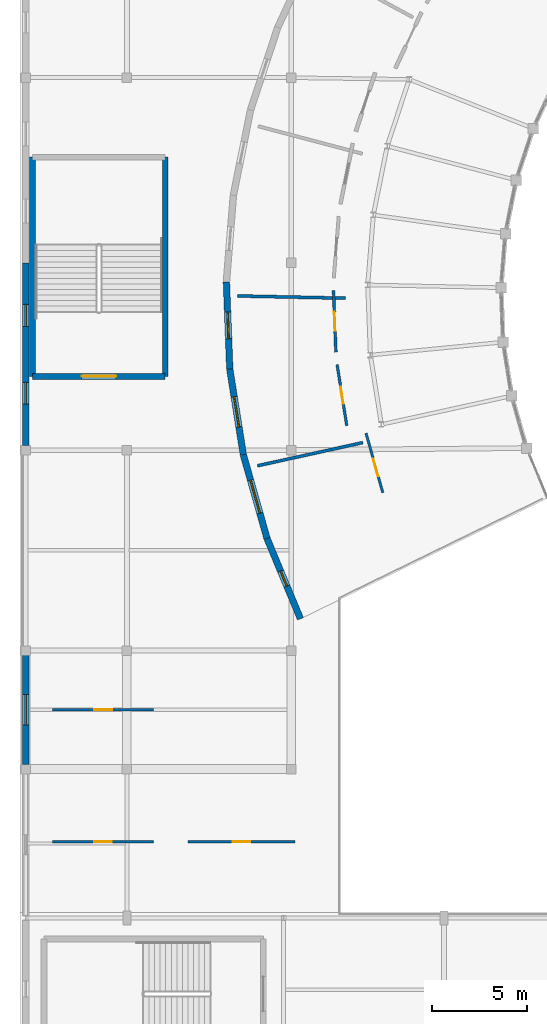
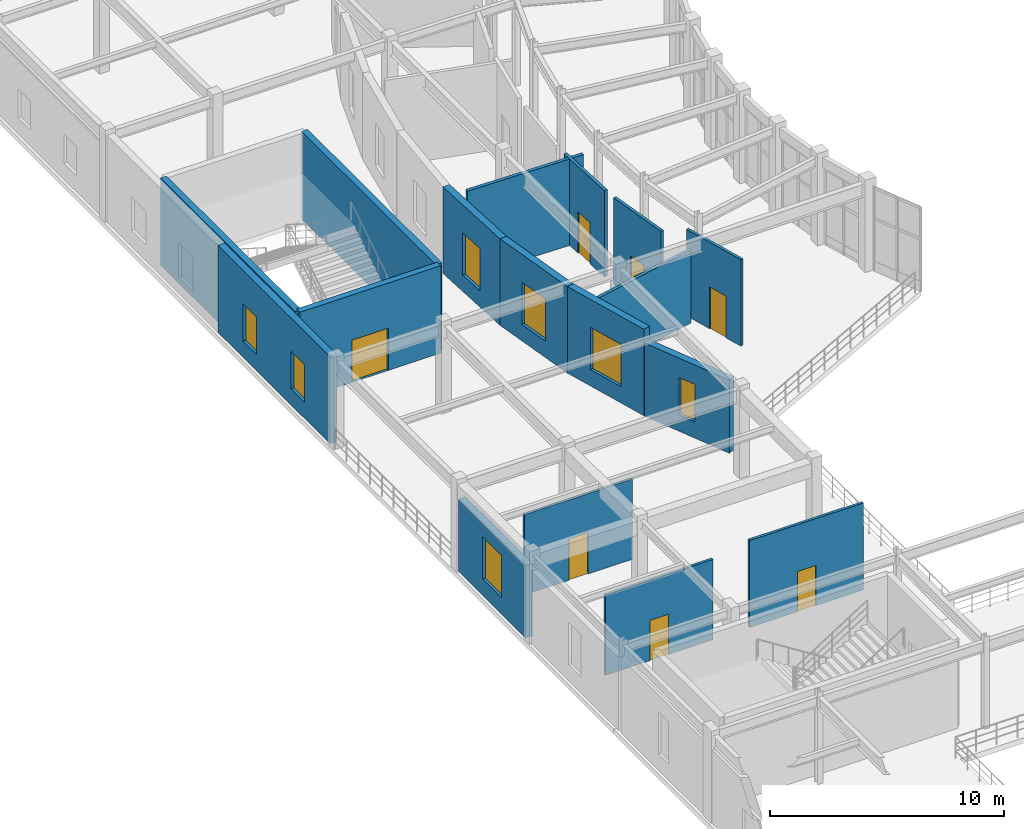
# One storey, part 104 of 144: 17 walls, 7 doors, 7 windows, 14 openings.
"""IFC4 building model written with IfcOpenShell, lengths in metres."""

from ifc_helpers import new_model, si_unit, direction, frame, frame_2d, origin, place, context, subcontext, project, spatial, rectangle, extrude, material, layer, layer_set, type_object, element, fill, save


model = new_model("IFC4")

# Units and contexts
model_context = context("Model", 3, precision=1e-05, world=origin(), true_north=direction((0.0, 1.0)))
body_context = subcontext(model_context, "Body", "Model", "MODEL_VIEW")
ifc_project = project(units=[si_unit("LENGTHUNIT", "METRE"), si_unit("AREAUNIT", "SQUARE_METRE"), si_unit("VOLUMEUNIT", "CUBIC_METRE"), si_unit("PLANEANGLEUNIT", "RADIAN"), si_unit("MASSUNIT", "GRAM", prefix="KILO")], contexts=[model_context])

# Site, building, storey
site_placement = place(None, origin())
site = spatial("IfcSite", under=ifc_project, at=site_placement, CompositionType="ELEMENT")
building_placement = place(site_placement, origin())
building = spatial("IfcBuilding", under=site, at=building_placement, Name="Cinderbank Siding Concert Hall", CompositionType="ELEMENT")
storey_placement = place(building_placement, frame((0.0, 0.0, 5.39990234375)))
storey = spatial("IfcBuildingStorey", under=building, at=storey_placement, Name="L02", CompositionType="ELEMENT", Elevation=5.39990234375)

# Wall, opening, door
ifc_material_1 = material(Name="Reinforced concrete AS 3600 N50 (50 MPa)", Category="concrete")
ifc_layer_1 = layer(ifc_material_1, 0.300048828125)
ifc_layer_set_1 = layer_set([ifc_layer_1], Name="Reinforced concrete AS 3600 N50 (50 MPa)")
wall_type_1 = type_object("IfcWallType", Name="WL-03 Structural Wall 300mm", PredefinedType="SHEAR", material=ifc_layer_set_1)
wall_1_placement = place(storey_placement, frame((14.39990234375, 63.860107421875, 0.0), z_axis=(0.0, 0.0, 1.0), x_axis=(-1.0, 0.0, 0.0)))
wall_1 = element("IfcWall", 1, at=wall_1_placement, inside=storey, type_object=wall_type_1, Name="L02 ST-09 Core Wall ENTRY", PredefinedType="SHEAR", context=body_context, shape_type="SweptSolid", body=[
    extrude(rectangle(XDim=6.93994140625, YDim=0.300048828125, at=frame_2d((3.469970703125, 0.0))), origin(), (0.0, 0.0, 1.0), 4.550048828125),
])
opening_1_placement = place(wall_1_placement, frame((2.570068359375, 0.0, 0.0)))
opening_1 = element("IfcOpeningElement", 2, at=opening_1_placement, cuts=wall_1, Name="Opening D-05", PredefinedType="OPENING", context=body_context, shape_type="SweptSolid", body=[
    extrude(rectangle(XDim=1.800048828125, YDim=2.199951171875, at=frame_2d((0.89990234375, 1.10009765625))), frame((0.0, 0.162109375, 0.0), z_axis=(0.0, -1.0, 0.0), x_axis=(1.0, 0.0, 0.0)), (0.0, 0.0, 1.0), 0.323974609375),
])
ifc_material_2 = material(Name="Galvanised sheet steel acoustic fire door assembly", Category="steel")
door_type_1 = type_object("IfcDoorType", Name="D-05 Interior Door 1800x2200", OperationType="DOUBLE_DOOR_SINGLE_SWING", PredefinedType="DOOR", material=ifc_material_2)
door_1_placement = place(opening_1_placement, origin())
door_1 = element("IfcDoor", 3, at=door_1_placement, inside=storey, type_object=door_type_1, Name="L02 ST-09 Fire Stair Door L02-D048", OperationType="DOUBLE_DOOR_SINGLE_SWING", OverallHeight=2.199951171875, OverallWidth=1.800048828125, PredefinedType="DOOR", context=body_context, shape_type="SweptSolid", body=[
    extrude(rectangle(XDim=1.800048828125, YDim=2.199951171875, at=frame_2d((0.89990234375, 1.10009765625))), frame((0.0, 0.02490234375, 0.0), z_axis=(0.0, -1.0, 0.0), x_axis=(1.0, 0.0, 0.0)), (0.0, 0.0, 1.0), 0.050048828125),
])
fill(opening_1, door_1)

# Walls
for number, where, z_axis, x_axis, name in (
    (4, (14.39990234375, 75.340087890625, 0.0), (0.0, 0.0, 1.0), (0.0, -1.0, 0.0), "L02 ST-09 Core Wall SIDE1"),
    (5, (7.4599609375, 63.860107421875, 0.0), (0.0, 0.0, 1.0), (0.0, 1.0, 0.0), "L02 ST-09 Core Wall SIDE2"),
):
    element("IfcWall", number, at=place(storey_placement, frame(where, z_axis=z_axis, x_axis=x_axis)), inside=storey, type_object=wall_type_1, Name=name, PredefinedType="SHEAR", context=body_context, shape_type="SweptSolid", body=[
        extrude(rectangle(XDim=11.47998046875, YDim=0.300048828125, at=frame_2d((5.739990234375, 0.0))), origin(), (0.0, 0.0, 1.0), 4.550048828125),
    ])

# Wall, opening, window
ifc_material_3 = material(Name="Clinker clay brickwork masonry AS 3700 (20 MPa)", Category="masonry")
ifc_layer_2 = layer(ifc_material_3, 0.340087890625)
ifc_layer_set_2 = layer_set([ifc_layer_2], Name="Clinker clay brickwork masonry AS 3700 (20 MPa)")
wall_type_2 = type_object("IfcWallType", Name="WL-07 Exterior Wall 340mm", PredefinedType="STANDARD", material=ifc_layer_set_2)
wall_2_placement = place(storey_placement, frame((17.6083984375, 68.80419921875, 0.0), z_axis=(0.0, 0.0, 1.0), x_axis=(0.038377542804, -0.999263310749, 0.0)))
wall_2 = element("IfcWall", 6, at=wall_2_placement, inside=storey, type_object=wall_type_2, Name="L02 Facade Wall EW-WOUT-L02-12", PredefinedType="STANDARD", context=body_context, shape_type="SweptSolid", body=[
    extrude(rectangle(XDim=4.554931640625, YDim=0.340087890625, at=frame_2d((2.27734375, 0.0))), origin(), (0.0, 0.0, 1.0), 4.505126953125),
])
opening_2_placement = place(wall_2_placement, frame((1.577392578125, 0.0, 0.85009765625)))
opening_2 = element("IfcOpeningElement", 7, at=opening_2_placement, cuts=wall_2, Name="Opening WN-06", PredefinedType="OPENING", context=body_context, shape_type="SweptSolid", body=[
    extrude(rectangle(XDim=1.39990234375, YDim=2.199951171875, at=frame_2d((0.699951171875, 1.10009765625))), frame((0.0, 0.18212890625, 0.0), z_axis=(0.0, -1.0, 0.0), x_axis=(1.0, 0.0, 0.0)), (0.0, 0.0, 1.0), 0.364013671875),
])
ifc_material_4 = material(Name="Double-glazed laminated acoustic glass", Category="glass")
window_type_1 = type_object("IfcWindowType", Name="WN-06 Acoustic Casement Window 1400x2200", PartitioningType="DOUBLE_PANEL_VERTICAL", PredefinedType="WINDOW", material=ifc_material_4)
window_1_placement = place(opening_2_placement, origin())
window_1 = element("IfcWindow", 8, at=window_1_placement, inside=storey, type_object=window_type_1, Name="L02 Facade Window #22", OverallHeight=2.199951171875, OverallWidth=1.39990234375, PartitioningType="DOUBLE_PANEL_VERTICAL", PredefinedType="WINDOW", context=body_context, shape_type="SweptSolid", body=[
    extrude(rectangle(XDim=1.39990234375, YDim=2.199951171875, at=frame_2d((0.699951171875, 1.10009765625))), frame((0.0, 0.030029296875, 0.0), z_axis=(0.0, -1.0, 0.0), x_axis=(1.0, 0.0, 0.0)), (0.0, 0.0, 1.0), 0.06005859375),
])
fill(opening_2, window_1)

wall_3_placement = place(storey_placement, frame((17.783203125, 64.252685546875, 0.0), z_axis=(0.0, 0.0, 1.0), x_axis=(0.156466273676, -0.987683302077, 0.0)))
wall_3 = element("IfcWall", 9, at=wall_3_placement, inside=storey, type_object=wall_type_2, Name="L02 Facade Wall EW-WOUT-L02-13", PredefinedType="STANDARD", context=body_context, shape_type="SweptSolid", body=[
    extrude(rectangle(XDim=4.5546875, YDim=0.340087890625, at=frame_2d((2.27734375, 0.0))), origin(), (0.0, 0.0, 1.0), 4.505126953125),
])
opening_3_placement = place(wall_3_placement, frame((1.477294921875, 0.0, 0.85009765625)))
opening_3 = element("IfcOpeningElement", 10, at=opening_3_placement, cuts=wall_3, Name="Opening WN-07", PredefinedType="OPENING", context=body_context, shape_type="SweptSolid", body=[
    extrude(rectangle(XDim=1.60009765625, YDim=2.199951171875, at=frame_2d((0.800048828125, 1.10009765625))), frame((0.0, 0.18212890625, 0.0), z_axis=(0.0, -1.0, 0.0), x_axis=(1.0, 0.0, 0.0)), (0.0, 0.0, 1.0), 0.364013671875),
])
window_type_2 = type_object("IfcWindowType", Name="WN-07 Acoustic Casement Window 1600x2200", PartitioningType="DOUBLE_PANEL_VERTICAL", PredefinedType="WINDOW", material=ifc_material_4)
window_2_placement = place(opening_3_placement, origin())
window_2 = element("IfcWindow", 11, at=window_2_placement, inside=storey, type_object=window_type_2, Name="L02 Facade Window #23", OverallHeight=2.199951171875, OverallWidth=1.60009765625, PartitioningType="DOUBLE_PANEL_VERTICAL", PredefinedType="WINDOW", context=body_context, shape_type="SweptSolid", body=[
    extrude(rectangle(XDim=1.60009765625, YDim=2.199951171875, at=frame_2d((0.800048828125, 1.10009765625))), frame((0.0, 0.030029296875, 0.0), z_axis=(0.0, -1.0, 0.0), x_axis=(1.0, 0.0, 0.0)), (0.0, 0.0, 1.0), 0.06005859375),
])
fill(opening_3, window_2)

wall_4_placement = place(storey_placement, frame((18.495849609375, 59.754150390625, 0.0), z_axis=(0.0, 0.0, 1.0), x_axis=(0.272249427892, -0.962226713936, 0.0)))
wall_4 = element("IfcWall", 12, at=wall_4_placement, inside=storey, type_object=wall_type_2, Name="L02 Facade Wall EW-WOUT-L02-14", PredefinedType="STANDARD", context=body_context, shape_type="SweptSolid", body=[
    extrude(rectangle(XDim=4.5546875, YDim=0.340087890625, at=frame_2d((2.27734375, 0.0))), origin(), (0.0, 0.0, 1.0), 4.505126953125),
])
opening_4_placement = place(wall_4_placement, frame((1.37744140625, 0.0, 0.85009765625)))
opening_4 = element("IfcOpeningElement", 13, at=opening_4_placement, cuts=wall_4, Name="Opening WN-08", PredefinedType="OPENING", context=body_context, shape_type="SweptSolid", body=[
    extrude(rectangle(XDim=1.800048828125, YDim=2.199951171875, at=frame_2d((0.89990234375, 1.10009765625))), frame((0.0, 0.18212890625, 0.0), z_axis=(0.0, -1.0, 0.0), x_axis=(1.0, 0.0, 0.0)), (0.0, 0.0, 1.0), 0.364013671875),
])
window_type_3 = type_object("IfcWindowType", Name="WN-08 Acoustic Casement Window 1800x2200", PartitioningType="DOUBLE_PANEL_VERTICAL", PredefinedType="WINDOW", material=ifc_material_4)
window_3_placement = place(opening_4_placement, origin())
window_3 = element("IfcWindow", 14, at=window_3_placement, inside=storey, type_object=window_type_3, Name="L02 Facade Window #24", OverallHeight=2.199951171875, OverallWidth=1.800048828125, PartitioningType="DOUBLE_PANEL_VERTICAL", PredefinedType="WINDOW", context=body_context, shape_type="SweptSolid", body=[
    extrude(rectangle(XDim=1.800048828125, YDim=2.199951171875, at=frame_2d((0.89990234375, 1.10009765625))), frame((0.0, 0.030029296875, 0.0), z_axis=(0.0, -1.0, 0.0), x_axis=(1.0, 0.0, 0.0)), (0.0, 0.0, 1.0), 0.06005859375),
])
fill(opening_4, window_3)

wall_5_placement = place(storey_placement, frame((19.73583984375, 55.37158203125, 0.0), z_axis=(0.0, 0.0, 1.0), x_axis=(0.384310891198, -0.923203736402, 0.0)))
wall_5 = element("IfcWall", 15, at=wall_5_placement, inside=storey, type_object=wall_type_2, Name="L02 Facade Wall EW-WOUT-L02-15", PredefinedType="STANDARD", context=body_context, shape_type="SweptSolid", body=[
    extrude(rectangle(XDim=4.554931640625, YDim=0.340087890625, at=frame_2d((2.27734375, 0.0))), origin(), (0.0, 0.0, 1.0), 3.80712890625),
])
opening_5_placement = place(wall_5_placement, frame((1.852294921875, 0.0, 0.85009765625)))
opening_5 = element("IfcOpeningElement", 16, at=opening_5_placement, cuts=wall_5, Name="Opening WN-09", PredefinedType="OPENING", context=body_context, shape_type="SweptSolid", body=[
    extrude(rectangle(XDim=0.85009765625, YDim=1.949951171875, at=frame_2d((0.425048828125, 0.97509765625))), frame((0.0, 0.18212890625, 0.0), z_axis=(0.0, -1.0, 0.0), x_axis=(1.0, 0.0, 0.0)), (0.0, 0.0, 1.0), 0.364013671875),
])
window_type_4 = type_object("IfcWindowType", Name="WN-09 Acoustic Casement Window 850x1950", PartitioningType="DOUBLE_PANEL_VERTICAL", PredefinedType="WINDOW", material=ifc_material_4)
window_4_placement = place(opening_5_placement, origin())
window_4 = element("IfcWindow", 17, at=window_4_placement, inside=storey, type_object=window_type_4, Name="L02 Facade Window #25", OverallHeight=1.949951171875, OverallWidth=0.85009765625, PartitioningType="DOUBLE_PANEL_VERTICAL", PredefinedType="WINDOW", context=body_context, shape_type="SweptSolid", body=[
    extrude(rectangle(XDim=0.85009765625, YDim=1.949951171875, at=frame_2d((0.425048828125, 0.97509765625))), frame((0.0, 0.030029296875, 0.0), z_axis=(0.0, -1.0, 0.0), x_axis=(1.0, 0.0, 0.0)), (0.0, 0.0, 1.0), 0.06005859375),
])
fill(opening_5, window_4)

wall_6_placement = place(storey_placement, frame((7.10009765625, 43.534912109375, 0.0), z_axis=(0.0, 0.0, 1.0), x_axis=(0.0, 1.0, 0.0)))
wall_6 = element("IfcWall", 18, at=wall_6_placement, inside=storey, type_object=wall_type_2, Name="L02 Facade Wall EW-WL-W1-L02", PredefinedType="STANDARD", context=body_context, shape_type="SweptSolid", body=[
    extrude(rectangle(XDim=5.72998046875, YDim=0.340087890625, at=frame_2d((2.864990234375, 0.0))), origin(), (0.0, 0.0, 1.0), 3.787109375),
])
opening_6_placement = place(wall_6_placement, frame((2.06494140625, 0.0, 0.85009765625)))
opening_6 = element("IfcOpeningElement", 19, at=opening_6_placement, cuts=wall_6, Name="Opening WN-07", PredefinedType="OPENING", context=body_context, shape_type="SweptSolid", body=[
    extrude(rectangle(XDim=1.60009765625, YDim=2.199951171875, at=frame_2d((0.800048828125, 1.10009765625))), frame((0.0, 0.18212890625, 0.0), z_axis=(0.0, -1.0, 0.0), x_axis=(1.0, 0.0, 0.0)), (0.0, 0.0, 1.0), 0.364013671875),
])
window_5_placement = place(opening_6_placement, origin())
window_5 = element("IfcWindow", 20, at=window_5_placement, inside=storey, type_object=window_type_2, Name="L02 Facade Window #85", OverallHeight=2.199951171875, OverallWidth=1.60009765625, PartitioningType="DOUBLE_PANEL_VERTICAL", PredefinedType="WINDOW", context=body_context, shape_type="SweptSolid", body=[
    extrude(rectangle(XDim=1.60009765625, YDim=2.199951171875, at=frame_2d((0.800048828125, 1.10009765625))), frame((0.0, 0.030029296875, 0.0), z_axis=(0.0, -1.0, 0.0), x_axis=(1.0, 0.0, 0.0)), (0.0, 0.0, 1.0), 0.06005859375),
])
fill(opening_6, window_5)

# Wall, openings, windows
wall_7_placement = place(storey_placement, frame((7.10009765625, 60.235107421875, 0.0), z_axis=(0.0, 0.0, 1.0), x_axis=(0.0, 1.0, 0.0)))
wall_7 = element("IfcWall", 21, at=wall_7_placement, inside=storey, type_object=wall_type_2, Name="L02 Facade Wall EW-WL-W2-L02", PredefinedType="STANDARD", context=body_context, shape_type="SweptSolid", body=[
    extrude(rectangle(XDim=9.56494140625, YDim=0.340087890625, at=frame_2d((4.782470703125, 0.0))), origin(), (0.0, 0.0, 1.0), 4.53515625),
])
opening_7_placement = place(wall_7_placement, frame((2.166259765625, 0.0, 0.85009765625)))
opening_7 = element("IfcOpeningElement", 22, at=opening_7_placement, cuts=wall_7, Name="Opening WN-12", PredefinedType="OPENING", context=body_context, shape_type="SweptSolid", body=[
    extrude(rectangle(XDim=1.14990234375, YDim=1.949951171875, at=frame_2d((0.574951171875, 0.97509765625))), frame((0.0, 0.18212890625, 0.0), z_axis=(0.0, -1.0, 0.0), x_axis=(1.0, 0.0, 0.0)), (0.0, 0.0, 1.0), 0.364013671875),
])
opening_8_placement = place(wall_7_placement, frame((6.248779296875, 0.0, 0.85009765625)))
opening_8 = element("IfcOpeningElement", 23, at=opening_8_placement, cuts=wall_7, Name="Opening WN-12", PredefinedType="OPENING", context=body_context, shape_type="SweptSolid", body=[
    extrude(rectangle(XDim=1.14990234375, YDim=1.949951171875, at=frame_2d((0.574951171875, 0.97509765625))), frame((0.0, 0.18212890625, 0.0), z_axis=(0.0, -1.0, 0.0), x_axis=(1.0, 0.0, 0.0)), (0.0, 0.0, 1.0), 0.364013671875),
])
window_type_5 = type_object("IfcWindowType", Name="WN-12 Acoustic Casement Window 1150x1950", PartitioningType="DOUBLE_PANEL_VERTICAL", PredefinedType="WINDOW", material=ifc_material_4)
window_6_placement = place(opening_7_placement, origin())
window_6 = element("IfcWindow", 24, at=window_6_placement, inside=storey, type_object=window_type_5, Name="L02 Facade Window #90", OverallHeight=1.949951171875, OverallWidth=1.14990234375, PartitioningType="DOUBLE_PANEL_VERTICAL", PredefinedType="WINDOW", context=body_context, shape_type="SweptSolid", body=[
    extrude(rectangle(XDim=1.14990234375, YDim=1.949951171875, at=frame_2d((0.574951171875, 0.97509765625))), frame((0.0, 0.030029296875, 0.0), z_axis=(0.0, -1.0, 0.0), x_axis=(1.0, 0.0, 0.0)), (0.0, 0.0, 1.0), 0.06005859375),
])
fill(opening_7, window_6)
window_7_placement = place(opening_8_placement, origin())
window_7 = element("IfcWindow", 25, at=window_7_placement, inside=storey, type_object=window_type_5, Name="L02 Facade Window #91", OverallHeight=1.949951171875, OverallWidth=1.14990234375, PartitioningType="DOUBLE_PANEL_VERTICAL", PredefinedType="WINDOW", context=body_context, shape_type="SweptSolid", body=[
    extrude(rectangle(XDim=1.14990234375, YDim=1.949951171875, at=frame_2d((0.574951171875, 0.97509765625))), frame((0.0, 0.030029296875, 0.0), z_axis=(0.0, -1.0, 0.0), x_axis=(1.0, 0.0, 0.0)), (0.0, 0.0, 1.0), 0.06005859375),
])
fill(opening_8, window_7)

# Walls
ifc_material_5 = material(Name="Acoustic plasterboard on light-gauge steel studs", Category="gypsum")
ifc_layer_3 = layer(ifc_material_5, 0.159912109375)
ifc_layer_set_3 = layer_set([ifc_layer_3], Name="Acoustic plasterboard on light-gauge steel studs")
wall_type_3 = type_object("IfcWallType", Name="WL-14 Interior Wall 160mm", PredefinedType="PARTITIONING", material=ifc_layer_set_3)
wall_8_placement = place(storey_placement, frame((23.842041015625, 67.953369140625, 0.0), z_axis=(0.0, 0.0, 1.0), x_axis=(-0.999780386636, 0.020956586028, 0.0)))
element("IfcWall", 26, at=wall_8_placement, inside=storey, type_object=wall_type_3, Name="L02 Radial Studio Demising Wall W12", PredefinedType="PARTITIONING", context=body_context, shape_type="SweptSolid", body=[
    extrude(rectangle(XDim=5.650146484375, YDim=0.159912109375, at=frame_2d((2.8251953125, 0.0))), origin(), (0.0, 0.0, 1.0), 4.505126953125),
])
wall_9_placement = place(storey_placement, frame((24.754638671875, 60.39306640625, 0.0), z_axis=(0.0, 0.0, 1.0), x_axis=(-0.976668579504, -0.214752149721, 0.0)))
element("IfcWall", 27, at=wall_9_placement, inside=storey, type_object=wall_type_3, Name="L02 Radial Studio Demising Wall W14", PredefinedType="PARTITIONING", context=body_context, shape_type="SweptSolid", body=[
    extrude(rectangle(XDim=5.650146484375, YDim=0.159912109375, at=frame_2d((2.8251953125, 0.0))), origin(), (0.0, 0.0, 1.0), 3.80712890625),
])

# Wall, opening, door
ifc_layer_4 = layer(ifc_material_5, 0.14990234375)
ifc_layer_set_4 = layer_set([ifc_layer_4], Name="Acoustic plasterboard on light-gauge steel studs")
wall_type_4 = type_object("IfcWallType", Name="WL-15 Interior Wall 150mm", PredefinedType="PARTITIONING", material=ifc_layer_set_4)
wall_10_placement = place(storey_placement, frame((23.216552734375, 68.3603515625, 0.0), z_axis=(0.0, 0.0, 1.0), x_axis=(0.038386780722, -0.999262955916, 0.0)))
wall_10 = element("IfcWall", 28, at=wall_10_placement, inside=storey, type_object=wall_type_4, Name="L02 Partition Studio Bay W12", PredefinedType="PARTITIONING", context=body_context, shape_type="SweptSolid", body=[
    extrude(rectangle(XDim=3.2373046875, YDim=0.14990234375, at=frame_2d((1.61865234375, 0.0))), origin(), (0.0, 0.0, 1.0), 4.505126953125),
])
opening_9_placement = place(wall_10_placement, frame((1.12841796875, 0.0, 0.0)))
opening_9 = element("IfcOpeningElement", 29, at=opening_9_placement, cuts=wall_10, Name="Opening D-10", PredefinedType="OPENING", context=body_context, shape_type="SweptSolid", body=[
    extrude(rectangle(XDim=0.97998046875, YDim=2.14990234375, at=frame_2d((0.489990234375, 1.074951171875))), frame((0.0, 0.0869140625, 0.0), z_axis=(0.0, -1.0, 0.0), x_axis=(1.0, 0.0, 0.0)), (0.0, 0.0, 1.0), 0.173828125),
])
ifc_material_6 = material(Name="Solid-core spotted gum acoustic timber", Category="wood")
door_type_2 = type_object("IfcDoorType", Name="D-10 Interior Door 980x2150", OperationType="NOTDEFINED", PredefinedType="DOOR", material=ifc_material_6)
door_2_placement = place(opening_9_placement, origin())
door_2 = element("IfcDoor", 30, at=door_2_placement, inside=storey, type_object=door_type_2, Name="L02 Studio Bay W12 Door L02-D208", OperationType="SINGLE_SWING_LEFT", OverallHeight=2.14990234375, OverallWidth=0.97998046875, PredefinedType="DOOR", context=body_context, shape_type="SweptSolid", body=[
    extrude(rectangle(XDim=0.97998046875, YDim=2.14990234375, at=frame_2d((0.489990234375, 1.074951171875))), frame((0.0, 0.02490234375, 0.0), z_axis=(0.0, -1.0, 0.0), x_axis=(1.0, 0.0, 0.0)), (0.0, 0.0, 1.0), 0.050048828125),
])
fill(opening_9, door_2)

ifc_layer_5 = layer(ifc_material_5, 0.139892578125)
ifc_layer_set_5 = layer_set([ifc_layer_5], Name="Acoustic plasterboard on light-gauge steel studs")
wall_type_5 = type_object("IfcWallType", Name="WL-16 Interior Wall 140mm", PredefinedType="PARTITIONING", material=ifc_layer_set_5)
wall_11_placement = place(storey_placement, frame((23.404541015625, 64.47607421875, 0.0), z_axis=(0.0, 0.0, 1.0), x_axis=(0.156419556763, -0.987690701719, 0.0)))
wall_11 = element("IfcWall", 31, at=wall_11_placement, inside=storey, type_object=wall_type_5, Name="L02 Partition Studio Bay W13", PredefinedType="PARTITIONING", context=body_context, shape_type="SweptSolid", body=[
    extrude(rectangle(XDim=3.237060546875, YDim=0.139892578125, at=frame_2d((1.61865234375, 0.0))), origin(), (0.0, 0.0, 1.0), 4.505126953125),
])
opening_10_placement = place(wall_11_placement, frame((1.16845703125, 0.0, 0.0)))
opening_10 = element("IfcOpeningElement", 32, at=opening_10_placement, cuts=wall_11, Name="Opening D-15", PredefinedType="OPENING", context=body_context, shape_type="SweptSolid", body=[
    extrude(rectangle(XDim=0.89990234375, YDim=2.10009765625, at=frame_2d((0.449951171875, 1.050048828125))), frame((0.0, 0.08203125, 0.0), z_axis=(0.0, -1.0, 0.0), x_axis=(1.0, 0.0, 0.0)), (0.0, 0.0, 1.0), 0.163818359375),
])
door_type_3 = type_object("IfcDoorType", Name="D-15 Interior Door 900x2100", OperationType="NOTDEFINED", PredefinedType="DOOR", material=ifc_material_6)
door_3_placement = place(opening_10_placement, origin())
door_3 = element("IfcDoor", 33, at=door_3_placement, inside=storey, type_object=door_type_3, Name="L02 Studio Bay W13 Door L02-D209", OperationType="SINGLE_SWING_RIGHT", OverallHeight=2.10009765625, OverallWidth=0.89990234375, PredefinedType="DOOR", context=body_context, shape_type="SweptSolid", body=[
    extrude(rectangle(XDim=0.89990234375, YDim=2.10009765625, at=frame_2d((0.449951171875, 1.050048828125))), frame((0.0, 0.02490234375, 0.0), z_axis=(0.0, -1.0, 0.0), x_axis=(1.0, 0.0, 0.0)), (0.0, 0.0, 1.0), 0.050048828125),
])
fill(opening_10, door_3)

ifc_layer_6 = layer(ifc_material_5, 0.1298828125)
ifc_layer_set_6 = layer_set([ifc_layer_6], Name="Acoustic plasterboard on light-gauge steel studs")
wall_type_6 = type_object("IfcWallType", Name="WL-17 Interior Wall 130mm", PredefinedType="PARTITIONING", material=ifc_layer_set_6)
wall_12_placement = place(storey_placement, frame((24.9169921875, 60.886474609375, 0.0), z_axis=(0.0, 0.0, 1.0), x_axis=(0.272269765162, -0.96222095954, 0.0)))
wall_12 = element("IfcWall", 34, at=wall_12_placement, inside=storey, type_object=wall_type_6, Name="L02 Partition Studio Bay W14", PredefinedType="PARTITIONING", context=body_context, shape_type="SweptSolid", body=[
    extrude(rectangle(XDim=3.237060546875, YDim=0.1298828125, at=frame_2d((1.61865234375, 0.0))), origin(), (0.0, 0.0, 1.0), 4.505126953125),
])
opening_11_placement = place(wall_12_placement, frame((1.388427734375, 0.0, 0.0)))
opening_11 = element("IfcOpeningElement", 35, at=opening_11_placement, cuts=wall_12, Name="Opening D-16", PredefinedType="OPENING", context=body_context, shape_type="SweptSolid", body=[
    extrude(rectangle(XDim=0.9599609375, YDim=2.179931640625, at=frame_2d((0.47998046875, 1.08984375))), frame((0.0, 0.076904296875, 0.0), z_axis=(0.0, -1.0, 0.0), x_axis=(1.0, 0.0, 0.0)), (0.0, 0.0, 1.0), 0.15380859375),
])
door_type_4 = type_object("IfcDoorType", Name="D-16 Interior Door 960x2180", OperationType="NOTDEFINED", PredefinedType="DOOR", material=ifc_material_6)
door_4_placement = place(opening_11_placement, origin())
door_4 = element("IfcDoor", 36, at=door_4_placement, inside=storey, type_object=door_type_4, Name="L02 Studio Bay W14 Door L02-D210", OperationType="SINGLE_SWING_LEFT", OverallHeight=2.179931640625, OverallWidth=0.9599609375, PredefinedType="DOOR", context=body_context, shape_type="SweptSolid", body=[
    extrude(rectangle(XDim=0.9599609375, YDim=2.179931640625, at=frame_2d((0.47998046875, 1.08984375))), frame((0.0, 0.02490234375, 0.0), z_axis=(0.0, -1.0, 0.0), x_axis=(1.0, 0.0, 0.0)), (0.0, 0.0, 1.0), 0.050048828125),
])
fill(opening_11, door_4)

wall_13_placement = place(storey_placement, frame((8.5, 39.5, 0.0), z_axis=(0.0, 0.0, 1.0), x_axis=(1.0, 0.0, 0.0)))
wall_13 = element("IfcWall", 37, at=wall_13_placement, inside=storey, type_object=wall_type_6, Name="L02 Partition L02 Male WC", PredefinedType="PARTITIONING", context=body_context, shape_type="SweptSolid", body=[
    extrude(rectangle(XDim=5.300048828125, YDim=0.1298828125, at=frame_2d((2.64990234375, 0.0))), origin(), (0.0, 0.0, 1.0), 4.18505859375),
])
opening_12_placement = place(wall_13_placement, frame((2.18994140625, 0.0, 0.0)))
opening_12 = element("IfcOpeningElement", 38, at=opening_12_placement, cuts=wall_13, Name="Opening D-09", PredefinedType="OPENING", context=body_context, shape_type="SweptSolid", body=[
    extrude(rectangle(XDim=0.919921875, YDim=2.10009765625, at=frame_2d((0.4599609375, 1.050048828125))), frame((0.0, 0.076904296875, 0.0), z_axis=(0.0, -1.0, 0.0), x_axis=(1.0, 0.0, 0.0)), (0.0, 0.0, 1.0), 0.15380859375),
])
door_type_5 = type_object("IfcDoorType", Name="D-09 Interior Door 920x2100", OperationType="NOTDEFINED", PredefinedType="DOOR", material=ifc_material_6)
door_5_placement = place(opening_12_placement, origin())
door_5 = element("IfcDoor", 39, at=door_5_placement, inside=storey, type_object=door_type_5, Name="L02 L02 Male WC Door L02-D266", OperationType="SINGLE_SWING_RIGHT", OverallHeight=2.10009765625, OverallWidth=0.919921875, PredefinedType="DOOR", context=body_context, shape_type="SweptSolid", body=[
    extrude(rectangle(XDim=0.919921875, YDim=2.10009765625, at=frame_2d((0.4599609375, 1.050048828125))), frame((0.0, 0.02490234375, 0.0), z_axis=(0.0, -1.0, 0.0), x_axis=(1.0, 0.0, 0.0)), (0.0, 0.0, 1.0), 0.050048828125),
])
fill(opening_12, door_5)

wall_14_placement = place(storey_placement, frame((15.60009765625, 39.5, 0.0), z_axis=(0.0, 0.0, 1.0), x_axis=(1.0, 0.0, 0.0)))
wall_14 = element("IfcWall", 40, at=wall_14_placement, inside=storey, type_object=wall_type_6, Name="L02 Partition L02 Female WC", PredefinedType="PARTITIONING", context=body_context, shape_type="SweptSolid", body=[
    extrude(rectangle(XDim=5.599853515625, YDim=0.1298828125, at=frame_2d((2.7998046875, 0.0))), origin(), (0.0, 0.0, 1.0), 4.53515625),
])
opening_13_placement = place(wall_14_placement, frame((2.340087890625, 0.0, 0.0)))
opening_13 = element("IfcOpeningElement", 41, at=opening_13_placement, cuts=wall_14, Name="Opening D-09", PredefinedType="OPENING", context=body_context, shape_type="SweptSolid", body=[
    extrude(rectangle(XDim=0.919921875, YDim=2.10009765625, at=frame_2d((0.4599609375, 1.050048828125))), frame((0.0, 0.076904296875, 0.0), z_axis=(0.0, -1.0, 0.0), x_axis=(1.0, 0.0, 0.0)), (0.0, 0.0, 1.0), 0.15380859375),
])
door_6_placement = place(opening_13_placement, origin())
door_6 = element("IfcDoor", 42, at=door_6_placement, inside=storey, type_object=door_type_5, Name="L02 L02 Female WC Door L02-D267", OperationType="SINGLE_SWING_LEFT", OverallHeight=2.10009765625, OverallWidth=0.919921875, PredefinedType="DOOR", context=body_context, shape_type="SweptSolid", body=[
    extrude(rectangle(XDim=0.919921875, YDim=2.10009765625, at=frame_2d((0.4599609375, 1.050048828125))), frame((0.0, 0.02490234375, 0.0), z_axis=(0.0, -1.0, 0.0), x_axis=(1.0, 0.0, 0.0)), (0.0, 0.0, 1.0), 0.050048828125),
])
fill(opening_13, door_6)

wall_15_placement = place(storey_placement, frame((8.5, 46.39990234375, 0.0), z_axis=(0.0, 0.0, 1.0), x_axis=(1.0, 0.0, 0.0)))
wall_15 = element("IfcWall", 43, at=wall_15_placement, inside=storey, type_object=wall_type_6, Name="L02 Partition L02 Accessible WC", PredefinedType="PARTITIONING", context=body_context, shape_type="SweptSolid", body=[
    extrude(rectangle(XDim=5.300048828125, YDim=0.1298828125, at=frame_2d((2.64990234375, 0.0))), origin(), (0.0, 0.0, 1.0), 4.18505859375),
])
opening_14_placement = place(wall_15_placement, frame((2.175048828125, 0.0, 0.0)))
opening_14 = element("IfcOpeningElement", 44, at=opening_14_placement, cuts=wall_15, Name="Opening D-01", PredefinedType="OPENING", context=body_context, shape_type="SweptSolid", body=[
    extrude(rectangle(XDim=0.949951171875, YDim=2.14990234375, at=frame_2d((0.47509765625, 1.074951171875))), frame((0.0, 0.076904296875, 0.0), z_axis=(0.0, -1.0, 0.0), x_axis=(1.0, 0.0, 0.0)), (0.0, 0.0, 1.0), 0.15380859375),
])
door_type_6 = type_object("IfcDoorType", Name="D-01 Interior Door 950x2150", OperationType="NOTDEFINED", PredefinedType="DOOR", material=ifc_material_6)
door_7_placement = place(opening_14_placement, origin())
door_7 = element("IfcDoor", 45, at=door_7_placement, inside=storey, type_object=door_type_6, Name="L02 L02 Accessible WC Door L02-D268", OperationType="SINGLE_SWING_RIGHT", OverallHeight=2.14990234375, OverallWidth=0.949951171875, PredefinedType="DOOR", context=body_context, shape_type="SweptSolid", body=[
    extrude(rectangle(XDim=0.949951171875, YDim=2.14990234375, at=frame_2d((0.47509765625, 1.074951171875))), frame((0.0, 0.02490234375, 0.0), z_axis=(0.0, -1.0, 0.0), x_axis=(1.0, 0.0, 0.0)), (0.0, 0.0, 1.0), 0.050048828125),
])
fill(opening_14, door_7)

save(model, "model.ifc")
